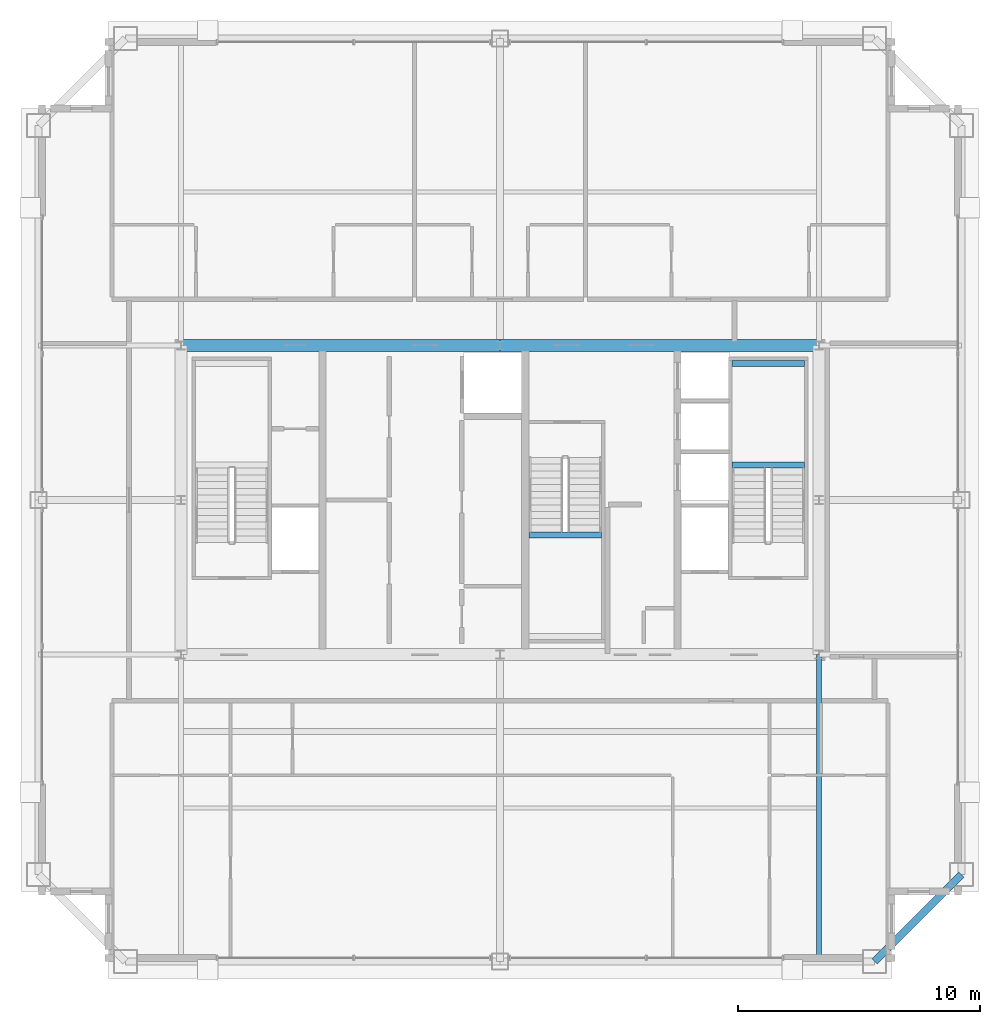
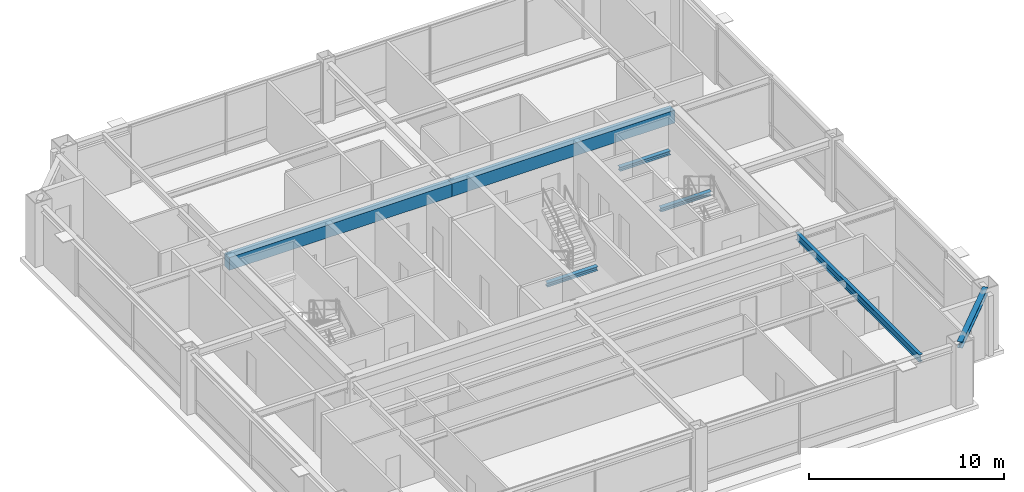
# One storey, part 13 of 34: 7 beams.
"""IFC4 building model written with IfcOpenShell, lengths in metres."""

import ifcopenshell
import ifcopenshell.guid

model = None  # the IFC model being written
_history = None  # IfcOwnerHistory: only IFC2X3 demands one
_inside = {}  # id of a spatial element -> (the spatial element, [elements in it])
_under = {}  # id of a project, library or spatial element -> (it, [spatial elements below it])
_declared = {}  # id of a project -> (the project, [libraries it declares])
_typed = {}  # id of a type object -> (the type object, [elements of that type])
_made_of = {}  # id of a material, layer set ... -> (it, [elements and type objects made of it])


def new_model(schema):
    """Start an empty IFC model of exactly this schema.

    Asked for "IFC4X3", IfcOpenShell would pick the latest addendum, in which some entities
    have other attributes; the version numbers below select the first issue.
    IFC2X3 requires an IfcOwnerHistory on every rooted entity: one is made here for all.
    """
    global model, _history
    if schema == "IFC4X3":
        model = ifcopenshell.file(schema_version=(4, 3, 0, 0))
    else:
        model = ifcopenshell.file(schema=schema)
    _inside.clear()
    _under.clear()
    _declared.clear()
    _typed.clear()
    _made_of.clear()
    _history = None
    if model.schema == "IFC2X3":
        org = make("IfcOrganization", Name="unknown")
        user = make(
            "IfcPersonAndOrganization",
            ThePerson=make("IfcPerson", FamilyName="unknown"),
            TheOrganization=org,
        )
        app = make(
            "IfcApplication",
            ApplicationDeveloper=org,
            Version="unknown",
            ApplicationFullName="unknown",
            ApplicationIdentifier="unknown",
        )
        _history = make(
            "IfcOwnerHistory",
            OwningUser=user,
            OwningApplication=app,
            ChangeAction="ADDED",
            CreationDate=0,
        )
    return model


def make(cls, **values):
    """One entity of the class cls with the attributes given. An attribute that is None is left unset."""
    return model.create_entity(
        cls, **{name: value for name, value in values.items() if value is not None}
    )


def rooted(cls, **values):
    """An entity with a GlobalId (a new one), such as an element, a storey or a relation."""
    return make(cls, GlobalId=ifcopenshell.guid.new(), OwnerHistory=_history, **values)


def si_unit(unit_type, name, prefix=None):
    """IfcSIUnit, for example si_unit("LENGTHUNIT", "METRE", prefix="MILLI")."""
    return make("IfcSIUnit", UnitType=unit_type, Prefix=prefix, Name=name)


def assignment(units):
    """IfcUnitAssignment: the units of a project."""
    return None if units is None else make("IfcUnitAssignment", Units=units)


def point(xyz):
    """IfcCartesianPoint."""
    return None if xyz is None else make("IfcCartesianPoint", Coordinates=xyz)


def direction(xyz):
    """IfcDirection."""
    return None if xyz is None else make("IfcDirection", DirectionRatios=xyz)


def frame(location, z_axis=None, x_axis=None):
    """IfcAxis2Placement3D, a coordinate frame: its origin and axes. An axis left out is left unset."""
    return make(
        "IfcAxis2Placement3D",
        Location=point(location),
        Axis=direction(z_axis),
        RefDirection=direction(x_axis),
    )


def frame_2d(location, x_axis=None):
    """IfcAxis2Placement2D, a coordinate frame in the plane: its origin and x axis."""
    return make(
        "IfcAxis2Placement2D", Location=point(location), RefDirection=direction(x_axis)
    )


def origin():
    """The frame at (0, 0, 0) with its axes left unset."""
    return frame((0.0, 0.0, 0.0))


def origin_2d():
    """The frame at (0, 0) in the plane with its x axis left unset."""
    return frame_2d((0.0, 0.0))


def place(relative_to, where):
    """IfcLocalPlacement: puts the frame where relative to a parent placement (None: the world)."""
    return make(
        "IfcLocalPlacement", PlacementRelTo=relative_to, RelativePlacement=where
    )


def context(
    kind, dimensions, precision=None, world=None, true_north=None, identifier=None
):
    """IfcGeometricRepresentationContext, for example the 3D "Model" context."""
    return make(
        "IfcGeometricRepresentationContext",
        ContextIdentifier=identifier,
        ContextType=kind,
        CoordinateSpaceDimension=dimensions,
        Precision=precision,
        WorldCoordinateSystem=world,
        TrueNorth=true_north,
    )


def subcontext(parent, identifier, kind, view, scale=None):
    """IfcGeometricRepresentationSubContext, for example "Body" below "Model"."""
    return make(
        "IfcGeometricRepresentationSubContext",
        ContextIdentifier=identifier,
        ContextType=kind,
        ParentContext=parent,
        TargetScale=scale,
        TargetView=view,
    )


def project(units=None, contexts=None):
    """IfcProject with its units and contexts."""
    return rooted(
        "IfcProject",
        Name="project",
        RepresentationContexts=contexts,
        UnitsInContext=assignment(units),
    )


def spatial(cls, under=None, at=None, **own):
    """A site, building, storey or space (cls), placed at a placement, below another one or the project."""
    s = rooted(cls, ObjectPlacement=at, **own)
    if under is not None:
        _under.setdefault(under.id(), (under, []))[1].append(s)
    return s


def profile(cls, at=None, kind="AREA", **sizes):
    """A parametric profile (cls). Its sizes go by their IFC names, for example OverallWidth=200.0."""
    return make(cls, ProfileType=kind, Position=at, **sizes)


def rectangle(**sizes):
    """IfcRectangleProfileDef."""
    return profile("IfcRectangleProfileDef", **sizes)


def i_section(**sizes):
    """IfcIShapeProfileDef."""
    return profile("IfcIShapeProfileDef", **sizes)


def extrude(swept, where, along, depth):
    """IfcExtrudedAreaSolid: the profile swept, set in the frame where, extruded along a direction by depth."""
    return make(
        "IfcExtrudedAreaSolid",
        SweptArea=swept,
        Position=where,
        ExtrudedDirection=direction(along),
        Depth=depth,
    )


def shape(context_of_items, identifier, shape_type, items):
    """IfcShapeRepresentation: the items that make up one representation, for example the "Body"."""
    return make(
        "IfcShapeRepresentation",
        ContextOfItems=context_of_items,
        RepresentationIdentifier=identifier,
        RepresentationType=shape_type,
        Items=items,
    )


def source(mapping_origin, context_of_items, identifier, shape_type, items):
    """IfcRepresentationMap: a shape defined once, which mapped items show again and again."""
    return make(
        "IfcRepresentationMap",
        MappingOrigin=mapping_origin,
        MappedRepresentation=shape(context_of_items, identifier, shape_type, items),
    )


def transform(
    local_origin,
    x_axis=None,
    y_axis=None,
    z_axis=None,
    scale=None,
    scale2=None,
    scale3=None,
    uniform=True,
):
    """IfcCartesianTransformationOperator3D, or its non-uniform kind. x_axis, y_axis, z_axis: its Axis1, 2, 3."""
    if uniform:
        return make(
            "IfcCartesianTransformationOperator3D",
            Axis1=direction(x_axis),
            Axis2=direction(y_axis),
            LocalOrigin=point(local_origin),
            Scale=scale,
            Axis3=direction(z_axis),
        )
    return make(
        "IfcCartesianTransformationOperator3DnonUniform",
        Axis1=direction(x_axis),
        Axis2=direction(y_axis),
        LocalOrigin=point(local_origin),
        Scale=scale,
        Axis3=direction(z_axis),
        Scale2=scale2,
        Scale3=scale3,
    )


def mapped(mapping_source, mapping_target):
    """IfcMappedItem: shows the shape of a source again, moved by a transform."""
    return make(
        "IfcMappedItem", MappingSource=mapping_source, MappingTarget=mapping_target
    )


def material(Name=None, Category=None):
    """IfcMaterial."""
    return make("IfcMaterial", Name=Name, Category=Category)


def material_profile(
    of_material, cross_section, Name=None, Category=None, Priority=None
):
    """IfcMaterialProfile: a cross section and its material."""
    return make(
        "IfcMaterialProfile",
        Name=Name,
        Material=of_material,
        Profile=cross_section,
        Priority=Priority,
        Category=Category,
    )


def profile_set(profiles, Name=None, composite=None):
    """IfcMaterialProfileSet."""
    return make(
        "IfcMaterialProfileSet",
        Name=Name,
        MaterialProfiles=profiles,
        CompositeProfile=composite,
    )


def made_of(thing, what):
    """Note that an element or type object is made of a material, layer set ...; save() writes the relation."""
    if what is not None:
        _made_of.setdefault(what.id(), (what, []))[1].append(thing)
    return thing


def type_object(cls, material=None, **own):
    """A type object (cls), such as IfcWallType, which elements share."""
    return made_of(rooted(cls, **own), material)


def element(
    cls,
    number,
    at=None,
    inside=None,
    cuts=None,
    type_object=None,
    material=None,
    context=None,
    identifier="Body",
    shape_type=None,
    held_by="IfcProductDefinitionShape",
    body=None,
    shapes=None,
    **own,
):
    """One element of the class cls, such as IfcWall. Its Tag is "e" and its number.

    at: its placement. inside: the storey or other place that contains it. cuts: it is an
    opening in that element (IfcRelVoidsElement). A single representation is given by context,
    identifier, shape_type and body (its items); several are given by shapes. held_by: the class
    of the entity that holds the representations. save() writes the other relations.
    """
    e = rooted(cls, Tag="e%d" % number, ObjectPlacement=at, **own)
    if body is not None:
        shapes = [shape(context, identifier, shape_type, body)]
    if shapes is not None:
        e.Representation = make(held_by, Representations=shapes)
    if inside is not None:
        _inside.setdefault(inside.id(), (inside, []))[1].append(e)
    if cuts is not None:
        rooted(
            "IfcRelVoidsElement", RelatingBuildingElement=cuts, RelatedOpeningElement=e
        )
    if type_object is not None:
        _typed.setdefault(type_object.id(), (type_object, []))[1].append(e)
    return made_of(e, material)


def aggregate(whole, parts):
    """IfcRelAggregates: a whole, such as a stair, and the parts it consists of."""
    return rooted("IfcRelAggregates", RelatingObject=whole, RelatedObjects=parts)


def save(model, path):
    """Write the relations noted so far, then the file.

    IfcRelAggregates (storeys below a building ...), IfcRelContainedInSpatialStructure (elements
    in a storey), IfcRelDefinesByType, IfcRelAssociatesMaterial and IfcRelDeclares: one each for
    every whole, place, type object, material and project.
    """
    for whole, parts in _under.values():
        aggregate(whole, parts)
    for where, things in _inside.values():
        rooted(
            "IfcRelContainedInSpatialStructure",
            RelatedElements=things,
            RelatingStructure=where,
        )
    for kind, things in _typed.values():
        rooted("IfcRelDefinesByType", RelatedObjects=things, RelatingType=kind)
    for what, things in _made_of.values():
        rooted("IfcRelAssociatesMaterial", RelatedObjects=things, RelatingMaterial=what)
    for by, libraries in _declared.values():
        rooted("IfcRelDeclares", RelatingContext=by, RelatedDefinitions=libraries)
    model.write(path)


model = new_model("IFC4")

# Units and contexts
model_context = context("Model", 3, precision=1e-05, world=origin(), true_north=direction((0.0, 1.0)))
body_context = subcontext(model_context, "Body", "Model", "MODEL_VIEW")
ifc_project = project(units=[si_unit("LENGTHUNIT", "METRE"), si_unit("AREAUNIT", "SQUARE_METRE"), si_unit("VOLUMEUNIT", "CUBIC_METRE"), si_unit("PLANEANGLEUNIT", "RADIAN"), si_unit("MASSUNIT", "GRAM", prefix="KILO"), si_unit("THERMODYNAMICTEMPERATUREUNIT", "KELVIN"), si_unit("POWERUNIT", "WATT")], contexts=[model_context])

# Site, building, storey
site_placement = place(None, origin())
site = spatial("IfcSite", under=ifc_project, at=site_placement, CompositionType="ELEMENT")
building_placement = place(site_placement, origin())
building = spatial("IfcBuilding", under=site, at=building_placement, Name="Yuzanri Waterfront Tower", CompositionType="ELEMENT")
storey_placement = place(building_placement, frame((0.0, 0.0, 339.199951171875)))
storey = spatial("IfcBuildingStorey", under=building, at=storey_placement, Name="L91", CompositionType="ELEMENT", Elevation=339.199951171875)

# Beams
ifc_material_1 = material(Name="Concrete C50", Category="concrete")
ifc_material_profile_1 = material_profile(ifc_material_1, rectangle(XDim=0.5, YDim=0.800048828125, at=origin_2d()), Name="RC 500x800")
ifc_profile_set_1 = profile_set([ifc_material_profile_1], Name="Concrete C50")
beam_type_1 = type_object("IfcBeamType", Name="Core Coupling Lintel Concrete C50 500x800", PredefinedType="LINTEL", material=ifc_profile_set_1)
shared_shape_1 = source(origin(), body_context, "Body", "SweptSolid", [
    extrude(rectangle(XDim=0.5, YDim=0.800048828125, at=origin_2d()), origin(), (0.0, 0.0, 1.0), 13.199951171875),
])
for number, where, z_axis, x_axis, name in (
    (1, (23.800048828125, 32.199951171875, 3.360107421875), (1.0, 0.0, 0.0), (0.0, 1.0, 0.0), "L91 Core Tie Beam CN1"),
    (2, (37.0, 32.199951171875, 3.360107421875), (1.0, 0.0, 0.0), (0.0, 1.0, 0.0), "L91 Core Tie Beam CN2"),
):
    element("IfcBeam", number, at=place(storey_placement, frame(where, z_axis=z_axis, x_axis=x_axis)), inside=storey, type_object=beam_type_1, Name=name, PredefinedType="LINTEL", context=body_context, shape_type="MappedRepresentation", body=[
        mapped(shared_shape_1, transform((0.0, 0.0, 0.0), scale=1.0)),
    ])
ifc_material_2 = material(Name="Steel Q355B", Category="steel")
ifc_material_profile_2 = material_profile(ifc_material_2, i_section(OverallWidth=0.300048828125, OverallDepth=0.389892578125, WebThickness=0.010009765625, FlangeThickness=0.01611328125, at=origin_2d()), Name="HM 390x300x10x16")
ifc_profile_set_2 = profile_set([ifc_material_profile_2], Name="Steel Q355B")
beam_type_2 = type_object("IfcBeamType", Name="Perimeter Spandrel Q355B HM 390x300", PredefinedType="SPANDREL", material=ifc_profile_set_2)
shared_shape_2 = source(origin(), body_context, "Body", "SweptSolid", [
    extrude(i_section(OverallWidth=0.300048828125, OverallDepth=0.389892578125, WebThickness=0.010009765625, FlangeThickness=0.01611328125, at=origin_2d()), origin(), (0.0, 0.0, 1.0), 5.09130859375),
])
beam_1_placement = place(storey_placement, frame((52.5, 6.699951171875, 3.56494140625), z_axis=(0.707106781187, 0.707106781187, 0.0), x_axis=(-0.707106781187, 0.707106781187, 0.0)))
element("IfcBeam", 3, at=beam_1_placement, inside=storey, type_object=beam_type_2, Name="L91 Perimeter Spandrel S3-E1", PredefinedType="SPANDREL", context=body_context, shape_type="MappedRepresentation", body=[
    mapped(shared_shape_2, transform((0.0, 0.0, 0.0), scale=1.0)),
])
ifc_material_3 = material(Name="Steel Q355B", Category="steel")
ifc_material_profile_3 = material_profile(ifc_material_3, i_section(OverallWidth=0.199951171875, OverallDepth=0.449951171875, WebThickness=0.009033203125, FlangeThickness=0.013916015625, at=origin_2d()), Name="HN 450x200x9x14")
ifc_profile_set_3 = profile_set([ifc_material_profile_3], Name="Steel Q355B")
beam_type_3 = type_object("IfcBeamType", Name="Secondary Floor Beam Q355B HN 450x200", PredefinedType="BEAM", material=ifc_profile_set_3)
shared_shape_3 = source(origin(), body_context, "Body", "SweptSolid", [
    extrude(i_section(OverallWidth=0.199951171875, OverallDepth=0.449951171875, WebThickness=0.009033203125, FlangeThickness=0.013916015625, at=origin_2d()), origin(), (0.0, 0.0, 1.0), 12.699951171875),
])
beam_2_placement = place(storey_placement, frame((50.199951171875, 19.39990234375, 3.53515625), z_axis=(0.0, -1.0, 0.0), x_axis=(1.0, 0.0, 0.0)))
element("IfcBeam", 4, at=beam_2_placement, inside=storey, type_object=beam_type_3, Name="L91 South-East Core Line Beam", PredefinedType="BEAM", context=body_context, shape_type="MappedRepresentation", body=[
    mapped(shared_shape_3, transform((0.0, 0.0, 0.0), scale=1.0)),
])
ifc_material_4 = material(Name="Steel Q355B", Category="steel")
ifc_material_profile_4 = material_profile(ifc_material_4, i_section(OverallWidth=0.25, OverallDepth=0.25, WebThickness=0.009033203125, FlangeThickness=0.013916015625, at=origin_2d()), Name="HW 250x250x9x14")
ifc_profile_set_4 = profile_set([ifc_material_profile_4], Name="Steel Q355B")
beam_type_4 = type_object("IfcBeamType", Name="Stair Landing Support Beam Q355B HW 250x250", PredefinedType="BEAM", material=ifc_profile_set_4)
shared_shape_4 = source(origin(), body_context, "Body", "SweptSolid", [
    extrude(i_section(OverallWidth=0.25, OverallDepth=0.25, WebThickness=0.009033203125, FlangeThickness=0.013916015625, at=origin_2d()), origin(), (0.0, 0.0, 1.0), 3.0),
])
for number, where, z_axis, x_axis, name in (
    (5, (46.60009765625, 27.25, 1.675048828125), (1.0, 0.0, 0.0), (0.0, 1.0, 0.0), "L91 Stair Landing Support Beam ST-02-L91-L1-1"),
    (6, (46.60009765625, 31.449951171875, 1.675048828125), (1.0, 0.0, 0.0), (0.0, 1.0, 0.0), "L91 Stair Landing Support Beam ST-02-L91-L1-2"),
    (7, (38.199951171875, 24.35009765625, 1.675048828125), (1.0, 0.0, 0.0), (0.0, 1.0, 0.0), "L91 Stair Landing Support Beam ST-03-L91-L1-2"),
):
    element("IfcBeam", number, at=place(storey_placement, frame(where, z_axis=z_axis, x_axis=x_axis)), inside=storey, type_object=beam_type_4, Name=name, PredefinedType="BEAM", context=body_context, shape_type="MappedRepresentation", body=[
        mapped(shared_shape_4, transform((0.0, 0.0, 0.0), scale=1.0)),
    ])

save(model, "model.ifc")
